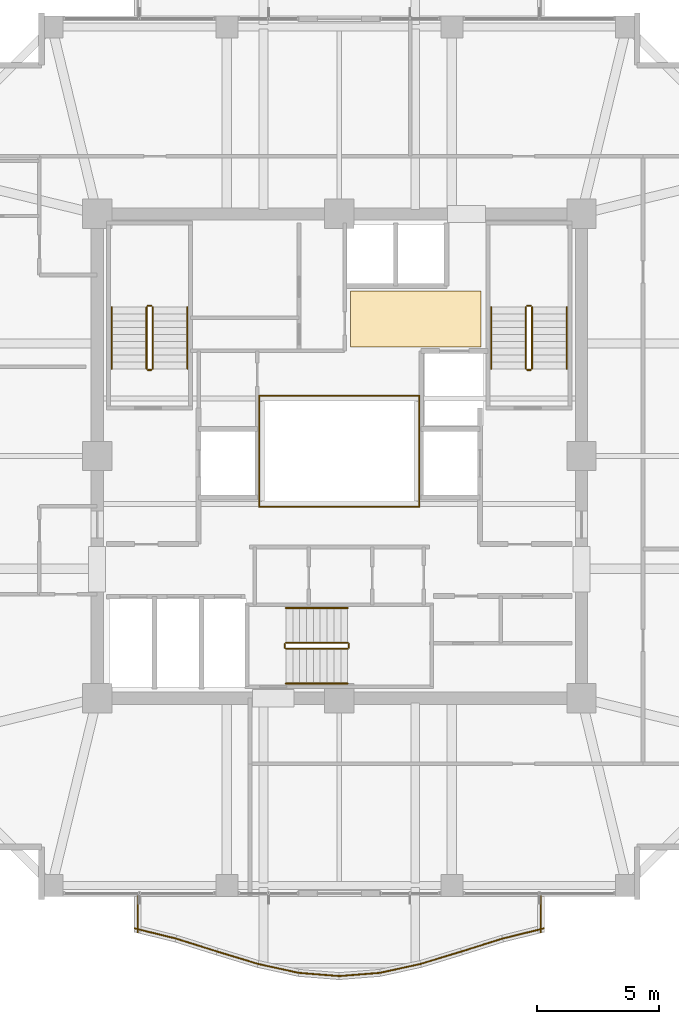
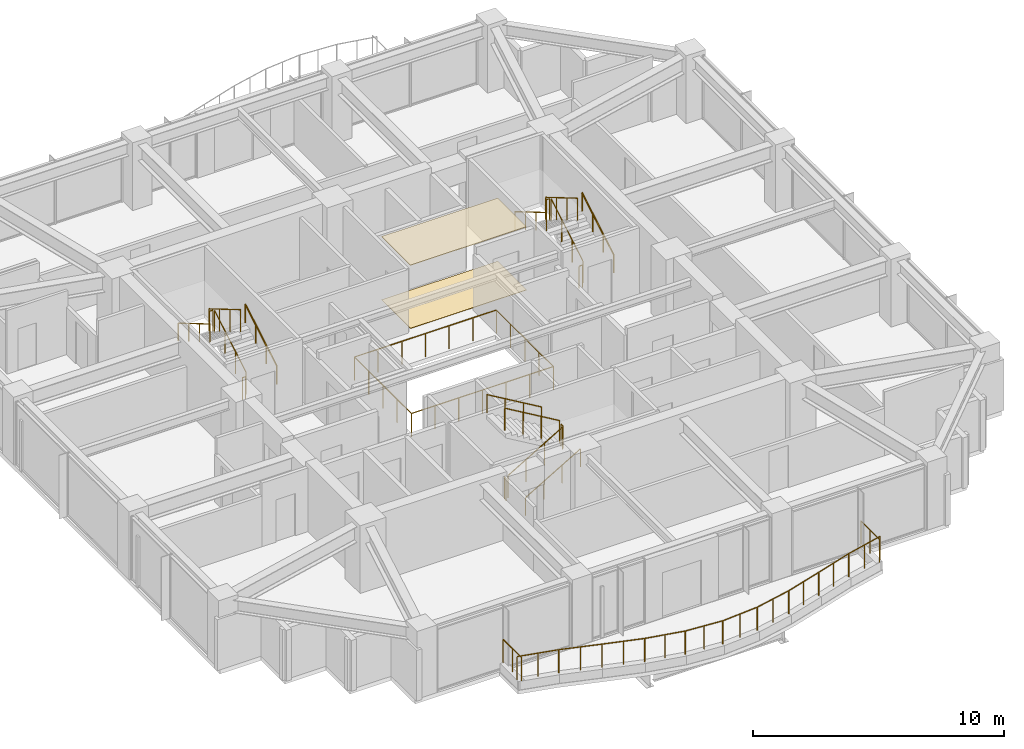
# One storey, part 30 of 31: 34 railings, 2 coverings.
"""IFC4 building model written with IfcOpenShell, lengths in metres."""

from ifc_helpers import new_model, si_unit, direction, frame, origin, origin_2d, place, context, subcontext, project, spatial, polyline, circle, outline, extrude, material, layer, layer_set, type_object, element, save


model = new_model("IFC4")

# Units and contexts
model_context = context("Model", 3, precision=1e-05, world=origin(), true_north=direction((0.0, 1.0)))
body_context = subcontext(model_context, "Body", "Model", "MODEL_VIEW")
ifc_project = project(units=[si_unit("LENGTHUNIT", "METRE"), si_unit("AREAUNIT", "SQUARE_METRE"), si_unit("VOLUMEUNIT", "CUBIC_METRE"), si_unit("PLANEANGLEUNIT", "RADIAN"), si_unit("MASSUNIT", "GRAM", prefix="KILO")], contexts=[model_context])

# Site, building, storey
site_placement = place(None, origin())
site = spatial("IfcSite", under=ifc_project, at=site_placement, CompositionType="ELEMENT")
building_placement = place(site_placement, origin())
building = spatial("IfcBuilding", under=site, at=building_placement, Name="Kolvaren Belvedere", CompositionType="ELEMENT")
storey_placement = place(building_placement, frame((0.0, 0.0, 131.60009765625)))
storey = spatial("IfcBuildingStorey", under=building, at=storey_placement, Name="L38", CompositionType="ELEMENT", Elevation=131.60009765625)

# Coverings
ifc_material_1 = material(Name="Acoustic perforated gypsum board", Category="gypsum")
ifc_layer_1 = layer(ifc_material_1, 0.02490234375)
ifc_layer_set_1 = layer_set([ifc_layer_1], Name="Acoustic perforated gypsum board")
covering_type_1 = type_object("IfcCoveringType", Name="COV-CEIL-GYP", PredefinedType="CEILING", material=ifc_layer_set_1)
covering_1_placement = place(storey_placement, frame((0.0, 0.0, 3.074951171875)))
element("IfcCovering", 1, at=covering_1_placement, inside=storey, type_object=covering_type_1, Name="L38 Lift Lobby Acoustic Baffle Ceiling", PredefinedType="CEILING", context=body_context, shape_type="SweptSolid", body=[
    extrude(outline(polyline([(0.449951171875, 4.449951171875), (5.800048828125, 4.449951171875), (5.800048828125, 6.75), (0.449951171875, 6.75), (0.449951171875, 4.449951171875)])), origin(), (0.0, 0.0, 1.0), 0.02490234375),
])
ifc_material_2 = material(Name="Engineered Pacific white oak", Category="timber")
ifc_layer_2 = layer(ifc_material_2, 0.02001953125)
ifc_layer_set_2 = layer_set([ifc_layer_2], Name="Engineered Pacific white oak")
covering_type_2 = type_object("IfcCoveringType", Name="COV-FLR-OAK", PredefinedType="FLOORING", material=ifc_layer_set_2)
covering_2_placement = place(storey_placement, origin())
element("IfcCovering", 2, at=covering_2_placement, inside=storey, type_object=covering_type_2, Name="L38 Lift Lobby Finish Flooring", PredefinedType="FLOORING", context=body_context, shape_type="SweptSolid", body=[
    extrude(outline(polyline([(0.449951171875, 4.449951171875), (5.800048828125, 4.449951171875), (5.800048828125, 6.75), (0.449951171875, 6.75), (0.449951171875, 4.449951171875)])), origin(), (0.0, 0.0, 1.0), 0.02001953125),
])

# Railings
ifc_material_3 = material(Name="Laminated glass & stainless-steel cap rail", Category="steel")
railing_type_1 = type_object("IfcRailingType", Name="RL-ATR-1150", PredefinedType="BALUSTRADE", material=ifc_material_3)
for number, where, name in (
    (3, (-3.27001953125, 2.469970703125, 0.0), "L38 Atrium North Glass Balustrade"),
    (4, (-3.27001953125, -2.070068359375, 0.0), "L38 Atrium South Glass Balustrade"),
):
    element("IfcRailing", number, at=place(storey_placement, frame(where)), inside=storey, type_object=railing_type_1, Name=name, PredefinedType="BALUSTRADE", context=body_context, shape_type="SweptSolid", body=[
        extrude(circle(Radius=0.02392578125, at=origin_2d()), frame((0.0, 0.0, 1.1259765625), z_axis=(1.0, 0.0, 0.0), x_axis=(0.0, 1.0, 0.0)), (0.0, 0.0, 1.0), 6.5400390625),
        extrude(circle(Radius=0.02099609375, at=origin_2d()), origin(), (0.0, 0.0, 1.0), 1.101806640625),
        extrude(circle(Radius=0.02099609375, at=origin_2d()), frame((1.090087890625, 0.0, 0.0)), (0.0, 0.0, 1.0), 1.101806640625),
        extrude(circle(Radius=0.02099609375, at=origin_2d()), frame((2.179931640625, 0.0, 0.0)), (0.0, 0.0, 1.0), 1.101806640625),
        extrude(circle(Radius=0.02099609375, at=origin_2d()), frame((3.27001953125, 0.0, 0.0)), (0.0, 0.0, 1.0), 1.101806640625),
        extrude(circle(Radius=0.02099609375, at=origin_2d()), frame((4.360107421875, 0.0, 0.0)), (0.0, 0.0, 1.0), 1.101806640625),
        extrude(circle(Radius=0.02099609375, at=origin_2d()), frame((5.449951171875, 0.0, 0.0)), (0.0, 0.0, 1.0), 1.101806640625),
        extrude(circle(Radius=0.02099609375, at=origin_2d()), frame((6.5400390625, 0.0, 0.0)), (0.0, 0.0, 1.0), 1.101806640625),
    ])
for number, where, name in (
    (5, (-3.27001953125, -2.070068359375, 0.0), "L38 Atrium West Glass Balustrade"),
    (6, (3.27001953125, -2.070068359375, 0.0), "L38 Atrium East Glass Balustrade"),
):
    element("IfcRailing", number, at=place(storey_placement, frame(where)), inside=storey, type_object=railing_type_1, Name=name, PredefinedType="BALUSTRADE", context=body_context, shape_type="SweptSolid", body=[
        extrude(circle(Radius=0.02392578125, at=origin_2d()), frame((0.0, 0.0, 1.1259765625), z_axis=(0.0, 1.0, 0.0), x_axis=(-1.0, 0.0, 0.0)), (0.0, 0.0, 1.0), 4.5400390625),
        extrude(circle(Radius=0.02099609375, at=origin_2d()), origin(), (0.0, 0.0, 1.0), 1.101806640625),
        extrude(circle(Radius=0.02099609375, at=origin_2d()), frame((0.0, 1.135009765625, 0.0)), (0.0, 0.0, 1.0), 1.101806640625),
        extrude(circle(Radius=0.02099609375, at=origin_2d()), frame((0.0, 2.27001953125, 0.0)), (0.0, 0.0, 1.0), 1.101806640625),
        extrude(circle(Radius=0.02099609375, at=origin_2d()), frame((0.0, 3.405029296875, 0.0)), (0.0, 0.0, 1.0), 1.101806640625),
        extrude(circle(Radius=0.02099609375, at=origin_2d()), frame((0.0, 4.5400390625, 0.0)), (0.0, 0.0, 1.0), 1.101806640625),
    ])
ifc_material_4 = material(Name="Anodised pale-metal aluminium & laminated glass guard", Category="aluminium")
railing_type_2 = type_object("IfcRailingType", Name="RL-GUARD-1150", PredefinedType="GUARDRAIL", material=ifc_material_4)
railing_1_placement = place(storey_placement, frame((-8.36181640625, -19.310791015625, 0.39990234375)))
element("IfcRailing", 7, at=railing_1_placement, inside=storey, type_object=railing_type_2, Name="L38 Exterior Deck Safety Guard BAL-S-1", PredefinedType="GUARDRAIL", context=body_context, shape_type="SweptSolid", body=[
    extrude(circle(Radius=0.02392578125, at=origin_2d()), frame((0.0, 0.0, 1.1259765625), z_axis=(0.970950361768, -0.239280995867, 0.0), x_axis=(0.239280995867, 0.970950361768, 0.0)), (0.0, 0.0, 1.0), 1.73046875),
    extrude(circle(Radius=0.02099609375, at=origin_2d()), origin(), (0.0, 0.0, 1.0), 1.101806640625),
    extrude(circle(Radius=0.02099609375, at=origin_2d()), frame((0.840087890625, -0.20703125, 0.0)), (0.0, 0.0, 1.0), 1.101806640625),
    extrude(circle(Radius=0.02099609375, at=origin_2d()), frame((1.68017578125, -0.4140625, 0.0)), (0.0, 0.0, 1.0), 1.101806640625),
])
railing_2_placement = place(storey_placement, frame((-6.672119140625, -19.7275390625, 0.39990234375)))
element("IfcRailing", 8, at=railing_2_placement, inside=storey, type_object=railing_type_2, Name="L38 Exterior Deck Safety Guard BAL-S-2", PredefinedType="GUARDRAIL", context=body_context, shape_type="SweptSolid", body=[
    extrude(circle(Radius=0.02392578125, at=origin_2d()), frame((0.0, 0.0, 1.1259765625), z_axis=(0.954057149461, -0.299624691176, 0.0), x_axis=(0.299624691176, 0.954057149461, 0.0)), (0.0, 0.0, 1.0), 1.7607421875),
    extrude(circle(Radius=0.02099609375, at=origin_2d()), origin(), (0.0, 0.0, 1.0), 1.101806640625),
    extrude(circle(Radius=0.02099609375, at=origin_2d()), frame((0.83984375, -0.263671875, 0.0)), (0.0, 0.0, 1.0), 1.101806640625),
    extrude(circle(Radius=0.02099609375, at=origin_2d()), frame((1.679931640625, -0.527587890625, 0.0)), (0.0, 0.0, 1.0), 1.101806640625),
])
railing_3_placement = place(storey_placement, frame((-4.993408203125, -20.254638671875, 0.39990234375)))
element("IfcRailing", 9, at=railing_3_placement, inside=storey, type_object=railing_type_2, Name="L38 Exterior Deck Safety Guard BAL-S-3", PredefinedType="GUARDRAIL", context=body_context, shape_type="SweptSolid", body=[
    extrude(circle(Radius=0.02392578125, at=origin_2d()), frame((0.0, 0.0, 1.1259765625), z_axis=(0.956721015747, -0.291006697567, 0.0), x_axis=(0.291006697567, 0.956721015747, 0.0)), (0.0, 0.0, 1.0), 1.755859375),
    extrude(circle(Radius=0.02099609375, at=origin_2d()), origin(), (0.0, 0.0, 1.0), 1.101806640625),
    extrude(circle(Radius=0.02099609375, at=origin_2d()), frame((0.83984375, -0.25537109375, 0.0)), (0.0, 0.0, 1.0), 1.101806640625),
    extrude(circle(Radius=0.02099609375, at=origin_2d()), frame((1.679931640625, -0.510986328125, 0.0)), (0.0, 0.0, 1.0), 1.101806640625),
])
railing_4_placement = place(storey_placement, frame((-3.32568359375, -20.762451171875, 0.39990234375)))
element("IfcRailing", 10, at=railing_4_placement, inside=storey, type_object=railing_type_2, Name="L38 Exterior Deck Safety Guard BAL-S-4", PredefinedType="GUARDRAIL", context=body_context, shape_type="SweptSolid", body=[
    extrude(circle(Radius=0.02392578125, at=origin_2d()), frame((0.0, 0.0, 1.1259765625), z_axis=(0.976876857632, -0.213802724545, 0.0), x_axis=(0.213802724545, 0.976876857632, 0.0)), (0.0, 0.0, 1.0), 1.7197265625),
    extrude(circle(Radius=0.02099609375, at=origin_2d()), origin(), (0.0, 0.0, 1.0), 1.101806640625),
    extrude(circle(Radius=0.02099609375, at=origin_2d()), frame((0.83984375, -0.183837890625, 0.0)), (0.0, 0.0, 1.0), 1.101806640625),
    extrude(circle(Radius=0.02099609375, at=origin_2d()), frame((1.679931640625, -0.36767578125, 0.0)), (0.0, 0.0, 1.0), 1.101806640625),
])
railing_5_placement = place(storey_placement, frame((-1.667236328125, -21.126953125, 0.39990234375)))
element("IfcRailing", 11, at=railing_5_placement, inside=storey, type_object=railing_type_2, Name="L38 Exterior Deck Safety Guard BAL-S-5", PredefinedType="GUARDRAIL", context=body_context, shape_type="SweptSolid", body=[
    extrude(circle(Radius=0.02392578125, at=origin_2d()), frame((0.0, 0.0, 1.1259765625), z_axis=(0.99685522818, -0.079244268248, 0.0), x_axis=(0.079244268248, 0.99685522818, 0.0)), (0.0, 0.0, 1.0), 1.685302734375),
    extrude(circle(Radius=0.02099609375, at=origin_2d()), origin(), (0.0, 0.0, 1.0), 1.101806640625),
    extrude(circle(Radius=0.02099609375, at=origin_2d()), frame((0.83984375, -0.06689453125, 0.0)), (0.0, 0.0, 1.0), 1.101806640625),
    extrude(circle(Radius=0.02099609375, at=origin_2d()), frame((1.679931640625, -0.133544921875, 0.0)), (0.0, 0.0, 1.0), 1.101806640625),
])
railing_6_placement = place(storey_placement, frame((-0.0126953125, -21.260498046875, 0.39990234375)))
element("IfcRailing", 12, at=railing_6_placement, inside=storey, type_object=railing_type_2, Name="L38 Exterior Deck Safety Guard BAL-S-6", PredefinedType="GUARDRAIL", context=body_context, shape_type="SweptSolid", body=[
    extrude(circle(Radius=0.02392578125, at=origin_2d()), frame((0.0, 0.0, 1.1259765625), z_axis=(0.99685522818, 0.079244268248, 0.0), x_axis=(-0.079244268248, 0.99685522818, 0.0)), (0.0, 0.0, 1.0), 1.685302734375),
    extrude(circle(Radius=0.02099609375, at=origin_2d()), origin(), (0.0, 0.0, 1.0), 1.101806640625),
    extrude(circle(Radius=0.02099609375, at=origin_2d()), frame((0.83984375, 0.06689453125, 0.0)), (0.0, 0.0, 1.0), 1.101806640625),
    extrude(circle(Radius=0.02099609375, at=origin_2d()), frame((1.679931640625, 0.133544921875, 0.0)), (0.0, 0.0, 1.0), 1.101806640625),
])
railing_7_placement = place(storey_placement, frame((1.645751953125, -21.130126953125, 0.39990234375)))
element("IfcRailing", 13, at=railing_7_placement, inside=storey, type_object=railing_type_2, Name="L38 Exterior Deck Safety Guard BAL-S-7", PredefinedType="GUARDRAIL", context=body_context, shape_type="SweptSolid", body=[
    extrude(circle(Radius=0.02392578125, at=origin_2d()), frame((0.0, 0.0, 1.1259765625), z_axis=(0.976876857632, 0.213802724545, 0.0), x_axis=(-0.213802724545, 0.976876857632, 0.0)), (0.0, 0.0, 1.0), 1.7197265625),
    extrude(circle(Radius=0.02099609375, at=origin_2d()), origin(), (0.0, 0.0, 1.0), 1.101806640625),
    extrude(circle(Radius=0.02099609375, at=origin_2d()), frame((0.83984375, 0.183837890625, 0.0)), (0.0, 0.0, 1.0), 1.101806640625),
    extrude(circle(Radius=0.02099609375, at=origin_2d()), frame((1.679931640625, 0.36767578125, 0.0)), (0.0, 0.0, 1.0), 1.101806640625),
])
railing_8_placement = place(storey_placement, frame((3.3134765625, -20.765625, 0.39990234375)))
element("IfcRailing", 14, at=railing_8_placement, inside=storey, type_object=railing_type_2, Name="L38 Exterior Deck Safety Guard BAL-S-8", PredefinedType="GUARDRAIL", context=body_context, shape_type="SweptSolid", body=[
    extrude(circle(Radius=0.02392578125, at=origin_2d()), frame((0.0, 0.0, 1.1259765625), z_axis=(0.956721015747, 0.291006697567, 0.0), x_axis=(-0.291006697567, 0.956721015747, 0.0)), (0.0, 0.0, 1.0), 1.755859375),
    extrude(circle(Radius=0.02099609375, at=origin_2d()), origin(), (0.0, 0.0, 1.0), 1.101806640625),
    extrude(circle(Radius=0.02099609375, at=origin_2d()), frame((0.83984375, 0.25537109375, 0.0)), (0.0, 0.0, 1.0), 1.101806640625),
    extrude(circle(Radius=0.02099609375, at=origin_2d()), frame((1.679931640625, 0.510986328125, 0.0)), (0.0, 0.0, 1.0), 1.101806640625),
])
railing_9_placement = place(storey_placement, frame((4.9921875, -20.255126953125, 0.39990234375)))
element("IfcRailing", 15, at=railing_9_placement, inside=storey, type_object=railing_type_2, Name="L38 Exterior Deck Safety Guard BAL-S-9", PredefinedType="GUARDRAIL", context=body_context, shape_type="SweptSolid", body=[
    extrude(circle(Radius=0.02392578125, at=origin_2d()), frame((0.0, 0.0, 1.1259765625), z_axis=(0.954057149461, 0.299624691176, 0.0), x_axis=(-0.299624691176, 0.954057149461, 0.0)), (0.0, 0.0, 1.0), 1.7607421875),
    extrude(circle(Radius=0.02099609375, at=origin_2d()), origin(), (0.0, 0.0, 1.0), 1.101806640625),
    extrude(circle(Radius=0.02099609375, at=origin_2d()), frame((0.83984375, 0.263671875, 0.0)), (0.0, 0.0, 1.0), 1.101806640625),
    extrude(circle(Radius=0.02099609375, at=origin_2d()), frame((1.679931640625, 0.527587890625, 0.0)), (0.0, 0.0, 1.0), 1.101806640625),
])
railing_10_placement = place(storey_placement, frame((6.681640625, -19.724853515625, 0.39990234375)))
element("IfcRailing", 16, at=railing_10_placement, inside=storey, type_object=railing_type_2, Name="L38 Exterior Deck Safety Guard BAL-S-10", PredefinedType="GUARDRAIL", context=body_context, shape_type="SweptSolid", body=[
    extrude(circle(Radius=0.02392578125, at=origin_2d()), frame((0.0, 0.0, 1.1259765625), z_axis=(0.970950361768, 0.239280995867, 0.0), x_axis=(-0.239280995867, 0.970950361768, 0.0)), (0.0, 0.0, 1.0), 1.73046875),
    extrude(circle(Radius=0.02099609375, at=origin_2d()), origin(), (0.0, 0.0, 1.0), 1.101806640625),
    extrude(circle(Radius=0.02099609375, at=origin_2d()), frame((0.840087890625, 0.20703125, 0.0)), (0.0, 0.0, 1.0), 1.101806640625),
    extrude(circle(Radius=0.02099609375, at=origin_2d()), frame((1.68017578125, 0.4140625, 0.0)), (0.0, 0.0, 1.0), 1.101806640625),
])
railing_11_placement = place(storey_placement, frame((8.239990234375, -19.46630859375, 0.39990234375)))
element("IfcRailing", 17, at=railing_11_placement, inside=storey, type_object=railing_type_2, Name="L38 Exterior Deck Safety Guard BAL-S-11", PredefinedType="GUARDRAIL", context=body_context, shape_type="SweptSolid", body=[
    extrude(circle(Radius=0.02392578125, at=origin_2d()), frame((0.0, 0.0, 1.1259765625), z_axis=(0.0, 1.0, 0.0), x_axis=(-1.0, 0.0, 0.0)), (0.0, 0.0, 1.0), 1.46630859375),
    extrude(circle(Radius=0.02099609375, at=origin_2d()), origin(), (0.0, 0.0, 1.0), 1.101806640625),
    extrude(circle(Radius=0.02099609375, at=origin_2d()), frame((0.0, 0.733154296875, 0.0)), (0.0, 0.0, 1.0), 1.101806640625),
    extrude(circle(Radius=0.02099609375, at=origin_2d()), frame((0.0, 1.46630859375, 0.0)), (0.0, 0.0, 1.0), 1.101806640625),
])
railing_12_placement = place(storey_placement, frame((-8.239990234375, -18.0, 0.39990234375)))
element("IfcRailing", 18, at=railing_12_placement, inside=storey, type_object=railing_type_2, Name="L38 Exterior Deck Safety Guard BAL-S-22", PredefinedType="GUARDRAIL", context=body_context, shape_type="SweptSolid", body=[
    extrude(circle(Radius=0.02392578125, at=origin_2d()), frame((0.0, 0.0, 1.1259765625), z_axis=(0.0, -1.0, 0.0), x_axis=(1.0, 0.0, 0.0)), (0.0, 0.0, 1.0), 1.46630859375),
    extrude(circle(Radius=0.02099609375, at=origin_2d()), origin(), (0.0, 0.0, 1.0), 1.101806640625),
    extrude(circle(Radius=0.02099609375, at=origin_2d()), frame((0.0, -0.733154296875, 0.0)), (0.0, 0.0, 1.0), 1.101806640625),
    extrude(circle(Radius=0.02099609375, at=origin_2d()), frame((0.0, -1.46630859375, 0.0)), (0.0, 0.0, 1.0), 1.101806640625),
])
ifc_material_5 = material(Name="Brushed stainless-steel handrail", Category="steel")
railing_type_3 = type_object("IfcRailingType", Name="RL-HANDRAIL-920", PredefinedType="HANDRAIL", material=ifc_material_5)
railing_13_placement = place(storey_placement, frame((-6.2099609375, 3.570068359375, 0.164794921875)))
element("IfcRailing", 19, at=railing_13_placement, inside=storey, type_object=railing_type_3, Name="L38 ST-1 stair handrail 1", PredefinedType="HANDRAIL", context=body_context, shape_type="SweptSolid", body=[
    extrude(circle(Radius=0.02392578125, at=origin_2d()), frame((0.0, 0.0, 0.8759765625), z_axis=(0.0, 0.86152411907, 0.507716645641), x_axis=(-1.0, 0.0, 0.0)), (0.0, 0.0, 1.0), 2.925048828125),
    extrude(circle(Radius=0.02099609375, at=origin_2d()), origin(), (0.0, 0.0, 1.0), 0.851806640625),
    extrude(circle(Radius=0.02099609375, at=origin_2d()), frame((0.0, 0.840087890625, 0.4951171875)), (0.0, 0.0, 1.0), 0.851806640625),
    extrude(circle(Radius=0.02099609375, at=origin_2d()), frame((0.0, 1.679931640625, 0.989990234375)), (0.0, 0.0, 1.0), 0.851806640625),
    extrude(circle(Radius=0.02099609375, at=origin_2d()), frame((0.0, 2.52001953125, 1.485107421875)), (0.0, 0.0, 1.0), 0.851806640625),
])
railing_14_placement = place(storey_placement, frame((-9.300048828125, 6.090087890625, 1.81494140625)))
element("IfcRailing", 20, at=railing_14_placement, inside=storey, type_object=railing_type_3, Name="L38 ST-1 stair handrail 2", PredefinedType="HANDRAIL", context=body_context, shape_type="SweptSolid", body=[
    extrude(circle(Radius=0.02392578125, at=origin_2d()), frame((0.0, 0.0, 0.8759765625), z_axis=(0.0, -0.861560626758, 0.507654692109), x_axis=(1.0, 0.0, 0.0)), (0.0, 0.0, 1.0), 2.925048828125),
    extrude(circle(Radius=0.02099609375, at=origin_2d()), origin(), (0.0, 0.0, 1.0), 0.851806640625),
    extrude(circle(Radius=0.02099609375, at=origin_2d()), frame((0.0, -0.840087890625, 0.494873046875)), (0.0, 0.0, 1.0), 0.851806640625),
    extrude(circle(Radius=0.02099609375, at=origin_2d()), frame((0.0, -1.679931640625, 0.989990234375)), (0.0, 0.0, 1.0), 0.851806640625),
    extrude(circle(Radius=0.02099609375, at=origin_2d()), frame((0.0, -2.52001953125, 1.48486328125)), (0.0, 0.0, 1.0), 0.851806640625),
])
railing_15_placement = place(storey_placement, frame((9.300048828125, 3.570068359375, 0.164794921875)))
element("IfcRailing", 21, at=railing_15_placement, inside=storey, type_object=railing_type_3, Name="L38 ST-2 stair handrail 1", PredefinedType="HANDRAIL", context=body_context, shape_type="SweptSolid", body=[
    extrude(circle(Radius=0.02392578125, at=origin_2d()), frame((0.0, 0.0, 0.8759765625), z_axis=(0.0, 0.86152411907, 0.507716645641), x_axis=(-1.0, 0.0, 0.0)), (0.0, 0.0, 1.0), 2.925048828125),
    extrude(circle(Radius=0.02099609375, at=origin_2d()), origin(), (0.0, 0.0, 1.0), 0.851806640625),
    extrude(circle(Radius=0.02099609375, at=origin_2d()), frame((0.0, 0.840087890625, 0.4951171875)), (0.0, 0.0, 1.0), 0.851806640625),
    extrude(circle(Radius=0.02099609375, at=origin_2d()), frame((0.0, 1.679931640625, 0.989990234375)), (0.0, 0.0, 1.0), 0.851806640625),
    extrude(circle(Radius=0.02099609375, at=origin_2d()), frame((0.0, 2.52001953125, 1.485107421875)), (0.0, 0.0, 1.0), 0.851806640625),
])
railing_16_placement = place(storey_placement, frame((6.2099609375, 6.090087890625, 1.81494140625)))
element("IfcRailing", 22, at=railing_16_placement, inside=storey, type_object=railing_type_3, Name="L38 ST-2 stair handrail 2", PredefinedType="HANDRAIL", context=body_context, shape_type="SweptSolid", body=[
    extrude(circle(Radius=0.02392578125, at=origin_2d()), frame((0.0, 0.0, 0.8759765625), z_axis=(0.0, -0.861560626758, 0.507654692109), x_axis=(1.0, 0.0, 0.0)), (0.0, 0.0, 1.0), 2.925048828125),
    extrude(circle(Radius=0.02099609375, at=origin_2d()), origin(), (0.0, 0.0, 1.0), 0.851806640625),
    extrude(circle(Radius=0.02099609375, at=origin_2d()), frame((0.0, -0.840087890625, 0.494873046875)), (0.0, 0.0, 1.0), 0.851806640625),
    extrude(circle(Radius=0.02099609375, at=origin_2d()), frame((0.0, -1.679931640625, 0.989990234375)), (0.0, 0.0, 1.0), 0.851806640625),
    extrude(circle(Radius=0.02099609375, at=origin_2d()), frame((0.0, -2.52001953125, 1.48486328125)), (0.0, 0.0, 1.0), 0.851806640625),
])
railing_17_placement = place(storey_placement, frame((-2.179931640625, -9.300048828125, 0.164794921875)))
element("IfcRailing", 23, at=railing_17_placement, inside=storey, type_object=railing_type_3, Name="L38 ST-3 stair handrail 1", PredefinedType="HANDRAIL", context=body_context, shape_type="SweptSolid", body=[
    extrude(circle(Radius=0.02392578125, at=origin_2d()), frame((0.0, 0.0, 0.8759765625), z_axis=(0.86152411907, 0.0, 0.507716645641), x_axis=(0.0, 1.0, 0.0)), (0.0, 0.0, 1.0), 2.925048828125),
    extrude(circle(Radius=0.02099609375, at=origin_2d()), origin(), (0.0, 0.0, 1.0), 0.851806640625),
    extrude(circle(Radius=0.02099609375, at=origin_2d()), frame((0.840087890625, 0.0, 0.4951171875)), (0.0, 0.0, 1.0), 0.851806640625),
    extrude(circle(Radius=0.02099609375, at=origin_2d()), frame((1.679931640625, 0.0, 0.989990234375)), (0.0, 0.0, 1.0), 0.851806640625),
    extrude(circle(Radius=0.02099609375, at=origin_2d()), frame((2.52001953125, 0.0, 1.485107421875)), (0.0, 0.0, 1.0), 0.851806640625),
])
railing_18_placement = place(storey_placement, frame((0.340087890625, -6.2099609375, 1.81494140625)))
element("IfcRailing", 24, at=railing_18_placement, inside=storey, type_object=railing_type_3, Name="L38 ST-3 stair handrail 2", PredefinedType="HANDRAIL", context=body_context, shape_type="SweptSolid", body=[
    extrude(circle(Radius=0.02392578125, at=origin_2d()), frame((0.0, 0.0, 0.8759765625), z_axis=(-0.861560626758, 0.0, 0.507654692109), x_axis=(0.0, -1.0, 0.0)), (0.0, 0.0, 1.0), 2.925048828125),
    extrude(circle(Radius=0.02099609375, at=origin_2d()), origin(), (0.0, 0.0, 1.0), 0.851806640625),
    extrude(circle(Radius=0.02099609375, at=origin_2d()), frame((-0.840087890625, 0.0, 0.494873046875)), (0.0, 0.0, 1.0), 0.851806640625),
    extrude(circle(Radius=0.02099609375, at=origin_2d()), frame((-1.679931640625, 0.0, 0.989990234375)), (0.0, 0.0, 1.0), 0.851806640625),
    extrude(circle(Radius=0.02099609375, at=origin_2d()), frame((-2.52001953125, 0.0, 1.48486328125)), (0.0, 0.0, 1.0), 0.851806640625),
])
ifc_material_6 = material(Name="Painted tubular steel stair guard", Category="steel")
railing_type_4 = type_object("IfcRailingType", Name="RL-STGUARD-1100", PredefinedType="GUARDRAIL", material=ifc_material_6)
railing_19_placement = place(storey_placement, frame((-7.6298828125, 3.570068359375, 0.164794921875)))
element("IfcRailing", 25, at=railing_19_placement, inside=storey, type_object=railing_type_4, Name="L38 ST-1 stair guard 1", PredefinedType="GUARDRAIL", context=body_context, shape_type="SweptSolid", body=[
    extrude(circle(Radius=0.02392578125, at=origin_2d()), frame((0.0, 0.0, 1.076171875), z_axis=(0.0, 0.86152411907, 0.507716645641), x_axis=(-1.0, 0.0, 0.0)), (0.0, 0.0, 1.0), 2.925048828125),
    extrude(circle(Radius=0.02099609375, at=origin_2d()), origin(), (0.0, 0.0, 1.0), 1.052001953125),
    extrude(circle(Radius=0.02099609375, at=origin_2d()), frame((0.0, 0.840087890625, 0.4951171875)), (0.0, 0.0, 1.0), 1.052001953125),
    extrude(circle(Radius=0.02099609375, at=origin_2d()), frame((0.0, 1.679931640625, 0.989990234375)), (0.0, 0.0, 1.0), 1.052001953125),
    extrude(circle(Radius=0.02099609375, at=origin_2d()), frame((0.0, 2.52001953125, 1.485107421875)), (0.0, 0.0, 1.0), 1.052001953125),
])
railing_20_placement = place(storey_placement, frame((-7.679931640625, 6.139892578125, 1.64990234375)))
element("IfcRailing", 26, at=railing_20_placement, inside=storey, type_object=railing_type_4, Name="L38 ST-1 stair guard 2", PredefinedType="GUARDRAIL", context=body_context, shape_type="SweptSolid", body=[
    extrude(circle(Radius=0.02392578125, at=origin_2d()), frame((0.0, 0.0, 1.076171875), z_axis=(-1.0, 0.0, 0.0), x_axis=(0.0, -1.0, 0.0)), (0.0, 0.0, 1.0), 0.150146484375),
    extrude(circle(Radius=0.02099609375, at=origin_2d()), origin(), (0.0, 0.0, 1.0), 1.052001953125),
    extrude(circle(Radius=0.02099609375, at=origin_2d()), frame((-0.150146484375, 0.0, 0.0)), (0.0, 0.0, 1.0), 1.052001953125),
])
railing_21_placement = place(storey_placement, frame((-7.8798828125, 6.090087890625, 1.81494140625)))
element("IfcRailing", 27, at=railing_21_placement, inside=storey, type_object=railing_type_4, Name="L38 ST-1 stair guard 3", PredefinedType="GUARDRAIL", context=body_context, shape_type="SweptSolid", body=[
    extrude(circle(Radius=0.02392578125, at=origin_2d()), frame((0.0, 0.0, 1.076171875), z_axis=(0.0, -0.861560626758, 0.507654692109), x_axis=(1.0, 0.0, 0.0)), (0.0, 0.0, 1.0), 2.925048828125),
    extrude(circle(Radius=0.02099609375, at=origin_2d()), origin(), (0.0, 0.0, 1.0), 1.052001953125),
    extrude(circle(Radius=0.02099609375, at=origin_2d()), frame((0.0, -0.840087890625, 0.494873046875)), (0.0, 0.0, 1.0), 1.052001953125),
    extrude(circle(Radius=0.02099609375, at=origin_2d()), frame((0.0, -1.679931640625, 0.989990234375)), (0.0, 0.0, 1.0), 1.052001953125),
    extrude(circle(Radius=0.02099609375, at=origin_2d()), frame((0.0, -2.52001953125, 1.48486328125)), (0.0, 0.0, 1.0), 1.052001953125),
])
railing_22_placement = place(storey_placement, frame((-7.679931640625, 3.52001953125, 0.0)))
element("IfcRailing", 28, at=railing_22_placement, inside=storey, type_object=railing_type_4, Name="L38 ST-1 stair guard 4", PredefinedType="GUARDRAIL", context=body_context, shape_type="SweptSolid", body=[
    extrude(circle(Radius=0.02392578125, at=origin_2d()), frame((0.0, 0.0, 1.076171875), z_axis=(-1.0, 0.0, 0.0), x_axis=(0.0, -1.0, 0.0)), (0.0, 0.0, 1.0), 0.150146484375),
    extrude(circle(Radius=0.02099609375, at=origin_2d()), origin(), (0.0, 0.0, 1.0), 1.052001953125),
    extrude(circle(Radius=0.02099609375, at=origin_2d()), frame((-0.150146484375, 0.0, 0.0)), (0.0, 0.0, 1.0), 1.052001953125),
])
railing_23_placement = place(storey_placement, frame((7.8798828125, 3.570068359375, 0.164794921875)))
element("IfcRailing", 29, at=railing_23_placement, inside=storey, type_object=railing_type_4, Name="L38 ST-2 stair guard 1", PredefinedType="GUARDRAIL", context=body_context, shape_type="SweptSolid", body=[
    extrude(circle(Radius=0.02392578125, at=origin_2d()), frame((0.0, 0.0, 1.076171875), z_axis=(0.0, 0.86152411907, 0.507716645641), x_axis=(-1.0, 0.0, 0.0)), (0.0, 0.0, 1.0), 2.925048828125),
    extrude(circle(Radius=0.02099609375, at=origin_2d()), origin(), (0.0, 0.0, 1.0), 1.052001953125),
    extrude(circle(Radius=0.02099609375, at=origin_2d()), frame((0.0, 0.840087890625, 0.4951171875)), (0.0, 0.0, 1.0), 1.052001953125),
    extrude(circle(Radius=0.02099609375, at=origin_2d()), frame((0.0, 1.679931640625, 0.989990234375)), (0.0, 0.0, 1.0), 1.052001953125),
    extrude(circle(Radius=0.02099609375, at=origin_2d()), frame((0.0, 2.52001953125, 1.485107421875)), (0.0, 0.0, 1.0), 1.052001953125),
])
railing_24_placement = place(storey_placement, frame((7.830078125, 6.139892578125, 1.64990234375)))
element("IfcRailing", 30, at=railing_24_placement, inside=storey, type_object=railing_type_4, Name="L38 ST-2 stair guard 2", PredefinedType="GUARDRAIL", context=body_context, shape_type="SweptSolid", body=[
    extrude(circle(Radius=0.02392578125, at=origin_2d()), frame((0.0, 0.0, 1.076171875), z_axis=(-1.0, 0.0, 0.0), x_axis=(0.0, -1.0, 0.0)), (0.0, 0.0, 1.0), 0.150146484375),
    extrude(circle(Radius=0.02099609375, at=origin_2d()), origin(), (0.0, 0.0, 1.0), 1.052001953125),
    extrude(circle(Radius=0.02099609375, at=origin_2d()), frame((-0.150146484375, 0.0, 0.0)), (0.0, 0.0, 1.0), 1.052001953125),
])
railing_25_placement = place(storey_placement, frame((7.6298828125, 6.090087890625, 1.81494140625)))
element("IfcRailing", 31, at=railing_25_placement, inside=storey, type_object=railing_type_4, Name="L38 ST-2 stair guard 3", PredefinedType="GUARDRAIL", context=body_context, shape_type="SweptSolid", body=[
    extrude(circle(Radius=0.02392578125, at=origin_2d()), frame((0.0, 0.0, 1.076171875), z_axis=(0.0, -0.861560626758, 0.507654692109), x_axis=(1.0, 0.0, 0.0)), (0.0, 0.0, 1.0), 2.925048828125),
    extrude(circle(Radius=0.02099609375, at=origin_2d()), origin(), (0.0, 0.0, 1.0), 1.052001953125),
    extrude(circle(Radius=0.02099609375, at=origin_2d()), frame((0.0, -0.840087890625, 0.494873046875)), (0.0, 0.0, 1.0), 1.052001953125),
    extrude(circle(Radius=0.02099609375, at=origin_2d()), frame((0.0, -1.679931640625, 0.989990234375)), (0.0, 0.0, 1.0), 1.052001953125),
    extrude(circle(Radius=0.02099609375, at=origin_2d()), frame((0.0, -2.52001953125, 1.48486328125)), (0.0, 0.0, 1.0), 1.052001953125),
])
railing_26_placement = place(storey_placement, frame((7.830078125, 3.52001953125, 0.0)))
element("IfcRailing", 32, at=railing_26_placement, inside=storey, type_object=railing_type_4, Name="L38 ST-2 stair guard 4", PredefinedType="GUARDRAIL", context=body_context, shape_type="SweptSolid", body=[
    extrude(circle(Radius=0.02392578125, at=origin_2d()), frame((0.0, 0.0, 1.076171875), z_axis=(-1.0, 0.0, 0.0), x_axis=(0.0, -1.0, 0.0)), (0.0, 0.0, 1.0), 0.150146484375),
    extrude(circle(Radius=0.02099609375, at=origin_2d()), origin(), (0.0, 0.0, 1.0), 1.052001953125),
    extrude(circle(Radius=0.02099609375, at=origin_2d()), frame((-0.150146484375, 0.0, 0.0)), (0.0, 0.0, 1.0), 1.052001953125),
])
railing_27_placement = place(storey_placement, frame((-2.179931640625, -7.8798828125, 0.164794921875)))
element("IfcRailing", 33, at=railing_27_placement, inside=storey, type_object=railing_type_4, Name="L38 ST-3 stair guard 1", PredefinedType="GUARDRAIL", context=body_context, shape_type="SweptSolid", body=[
    extrude(circle(Radius=0.02392578125, at=origin_2d()), frame((0.0, 0.0, 1.076171875), z_axis=(0.86152411907, 0.0, 0.507716645641), x_axis=(0.0, 1.0, 0.0)), (0.0, 0.0, 1.0), 2.925048828125),
    extrude(circle(Radius=0.02099609375, at=origin_2d()), origin(), (0.0, 0.0, 1.0), 1.052001953125),
    extrude(circle(Radius=0.02099609375, at=origin_2d()), frame((0.840087890625, 0.0, 0.4951171875)), (0.0, 0.0, 1.0), 1.052001953125),
    extrude(circle(Radius=0.02099609375, at=origin_2d()), frame((1.679931640625, 0.0, 0.989990234375)), (0.0, 0.0, 1.0), 1.052001953125),
    extrude(circle(Radius=0.02099609375, at=origin_2d()), frame((2.52001953125, 0.0, 1.485107421875)), (0.0, 0.0, 1.0), 1.052001953125),
])
railing_28_placement = place(storey_placement, frame((0.389892578125, -7.830078125, 1.64990234375)))
element("IfcRailing", 34, at=railing_28_placement, inside=storey, type_object=railing_type_4, Name="L38 ST-3 stair guard 2", PredefinedType="GUARDRAIL", context=body_context, shape_type="SweptSolid", body=[
    extrude(circle(Radius=0.02392578125, at=origin_2d()), frame((0.0, 0.0, 1.076171875), z_axis=(0.0, 1.0, 0.0), x_axis=(-1.0, 0.0, 0.0)), (0.0, 0.0, 1.0), 0.150146484375),
    extrude(circle(Radius=0.02099609375, at=origin_2d()), origin(), (0.0, 0.0, 1.0), 1.052001953125),
    extrude(circle(Radius=0.02099609375, at=origin_2d()), frame((0.0, 0.150146484375, 0.0)), (0.0, 0.0, 1.0), 1.052001953125),
])
railing_29_placement = place(storey_placement, frame((0.340087890625, -7.6298828125, 1.81494140625)))
element("IfcRailing", 35, at=railing_29_placement, inside=storey, type_object=railing_type_4, Name="L38 ST-3 stair guard 3", PredefinedType="GUARDRAIL", context=body_context, shape_type="SweptSolid", body=[
    extrude(circle(Radius=0.02392578125, at=origin_2d()), frame((0.0, 0.0, 1.076171875), z_axis=(-0.861560626758, 0.0, 0.507654692109), x_axis=(0.0, -1.0, 0.0)), (0.0, 0.0, 1.0), 2.925048828125),
    extrude(circle(Radius=0.02099609375, at=origin_2d()), origin(), (0.0, 0.0, 1.0), 1.052001953125),
    extrude(circle(Radius=0.02099609375, at=origin_2d()), frame((-0.840087890625, 0.0, 0.494873046875)), (0.0, 0.0, 1.0), 1.052001953125),
    extrude(circle(Radius=0.02099609375, at=origin_2d()), frame((-1.679931640625, 0.0, 0.989990234375)), (0.0, 0.0, 1.0), 1.052001953125),
    extrude(circle(Radius=0.02099609375, at=origin_2d()), frame((-2.52001953125, 0.0, 1.48486328125)), (0.0, 0.0, 1.0), 1.052001953125),
])
railing_30_placement = place(storey_placement, frame((-2.22998046875, -7.830078125, 0.0)))
element("IfcRailing", 36, at=railing_30_placement, inside=storey, type_object=railing_type_4, Name="L38 ST-3 stair guard 4", PredefinedType="GUARDRAIL", context=body_context, shape_type="SweptSolid", body=[
    extrude(circle(Radius=0.02392578125, at=origin_2d()), frame((0.0, 0.0, 1.076171875), z_axis=(0.0, 1.0, 0.0), x_axis=(-1.0, 0.0, 0.0)), (0.0, 0.0, 1.0), 0.150146484375),
    extrude(circle(Radius=0.02099609375, at=origin_2d()), origin(), (0.0, 0.0, 1.0), 1.052001953125),
    extrude(circle(Radius=0.02099609375, at=origin_2d()), frame((0.0, 0.150146484375, 0.0)), (0.0, 0.0, 1.0), 1.052001953125),
])

save(model, "model.ifc")
